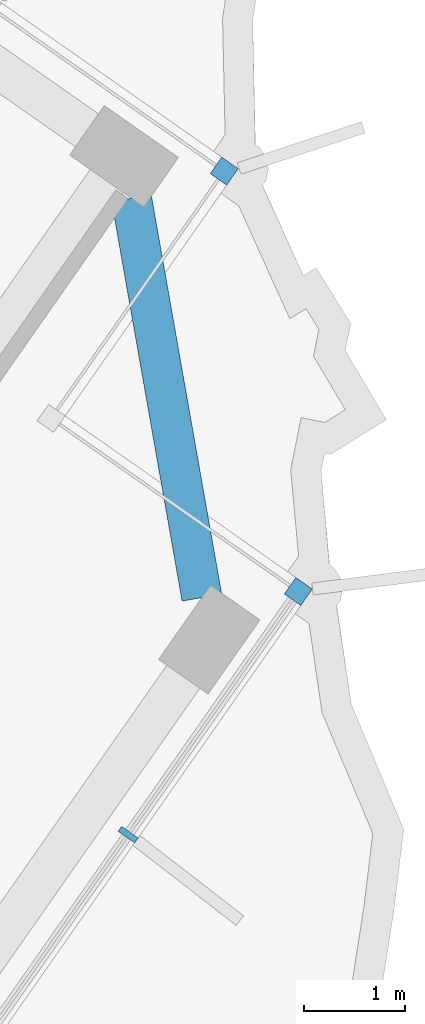
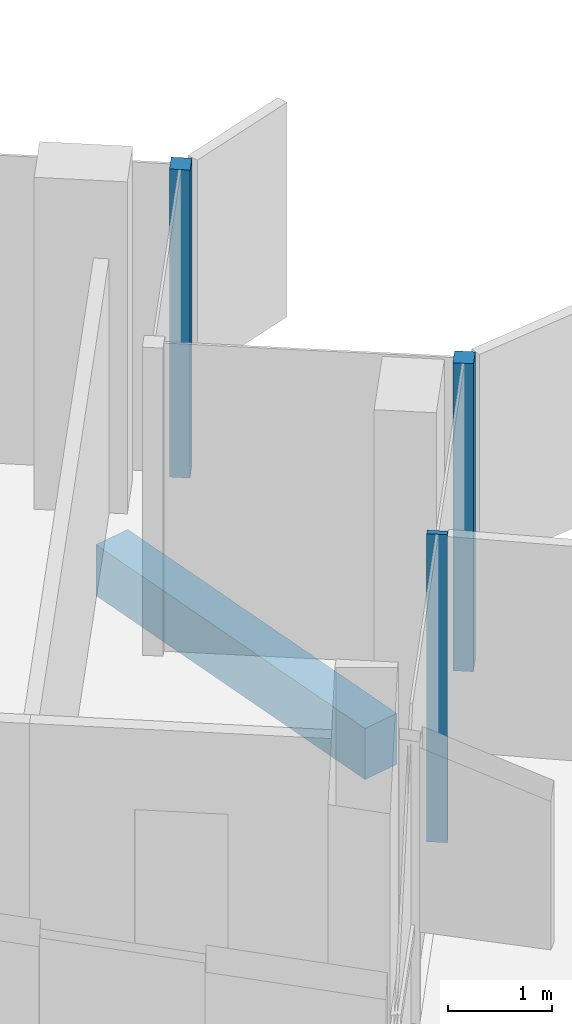
# One storey, part 8 of 20: 3 members, 1 beam, 1 element without a shape of its own.
"""IFC4 building model written with IfcOpenShell, lengths in metres."""

from ifc_helpers import new_model, si_unit, direction, frame, origin, origin_2d, place, context, subcontext, project, spatial, rectangle, extrude, material, material_profile, profile_set, type_object, element, aggregate, save


model = new_model("IFC4")

# Units and contexts
model_context = context("Model", 3, precision=1e-05, world=origin(), true_north=direction((0.0, 1.0)))
body_context = subcontext(model_context, "Body", "Model", "MODEL_VIEW")
ifc_project = project(units=[si_unit("LENGTHUNIT", "METRE"), si_unit("AREAUNIT", "SQUARE_METRE"), si_unit("VOLUMEUNIT", "CUBIC_METRE"), si_unit("PLANEANGLEUNIT", "RADIAN"), si_unit("MASSUNIT", "GRAM", prefix="KILO")], contexts=[model_context])

# Site, building, storey
site_placement = place(None, origin())
site = spatial("IfcSite", under=ifc_project, at=site_placement, CompositionType="ELEMENT")
building_placement = place(site_placement, origin())
building = spatial("IfcBuilding", under=site, at=building_placement, Name="Tel Ilan Convention Tower", CompositionType="ELEMENT")
storey_placement = place(building_placement, frame((0.0, 0.0, 233.199951171875)))
storey = spatial("IfcBuildingStorey", under=building, at=storey_placement, Name="L54", CompositionType="ELEMENT", Elevation=233.199951171875)

# Beam
ifc_material_1 = material(Name="Concrete C40/50", Category="concrete")
ifc_material_profile_1 = material_profile(ifc_material_1, rectangle(XDim=0.39990234375, YDim=0.60009765625, at=origin_2d()), Name="RC 400x600")
ifc_profile_set_1 = profile_set([ifc_material_profile_1], Name="Concrete C40/50")
beam_type = type_object("IfcBeamType", Name="Beam RC 400x600 Concrete C40/50", PredefinedType="BEAM", material=ifc_profile_set_1)
beam_placement = place(storey_placement, frame((31.742919921875, -17.343505859375, -0.579833984375), z_axis=(-0.173664388751, 0.984804894423, 0.0), x_axis=(-0.984804894423, -0.173664388751, 0.0)))
element("IfcBeam", 1, at=beam_placement, inside=storey, type_object=beam_type, Name="L54 beam E-E-E3-E-BC", PredefinedType="BEAM", context=body_context, shape_type="SweptSolid", body=[
    extrude(rectangle(XDim=0.39990234375, YDim=0.60009765625, at=origin_2d()), origin(), (0.0, 0.0, 1.0), 4.030517578125),
])

# Curtain wall, members
ifc_material_2 = material(Name="Aluminium, bronze anodised", Category="aluminium")
curtain_wall_type = type_object("IfcCurtainWallType", Name="CW5 STICK CURTAIN WALL, UPPER OFFICE LOW-IRON TINTED GLASS", PredefinedType="NOTDEFINED", material=ifc_material_2)
curtain_wall_placement = place(storey_placement, origin())
curtain_wall = element("IfcCurtainWall", 2, at=curtain_wall_placement, inside=storey, type_object=curtain_wall_type, Name="Curtain wall CW5-42.02", PredefinedType="NOTDEFINED")
ifc_material_3 = material(Name="Aluminium, bronze anodised", Category="aluminium")
ifc_material_profile_2 = material_profile(ifc_material_3, rectangle(XDim=0.199951171875, YDim=0.199951171875, at=origin_2d()), Name="CW CORNER MULLION 200x200")
ifc_profile_set_2 = profile_set([ifc_material_profile_2], Name="Aluminium, bronze anodised")
member_type_1 = type_object("IfcMemberType", Name="CW CORNER MULLION 200x200", PredefinedType="MULLION", material=ifc_profile_set_2)
member_1_placement = place(storey_placement, frame((32.701416015625, -17.2822265625, 0.0), z_axis=(0.0, 0.0, 1.0), x_axis=(0.573576436351, 0.819152044289, 0.0)))
member_1 = element("IfcMember", 3, at=member_1_placement, type_object=member_type_1, Name="Corner mullion", PredefinedType="MULLION", context=body_context, shape_type="SweptSolid", body=[
    extrude(rectangle(XDim=0.199951171875, YDim=0.199951171875, at=origin_2d()), origin(), (0.0, 0.0, 1.0), 3.6201171875),
])
member_2_placement = place(storey_placement, frame((31.964599609375, -13.10400390625, 0.0), z_axis=(0.0, 0.0, 1.0), x_axis=(0.573576436351, 0.819152044289, 0.0)))
member_2 = element("IfcMember", 4, at=member_2_placement, type_object=member_type_1, Name="Corner mullion", PredefinedType="MULLION", context=body_context, shape_type="SweptSolid", body=[
    extrude(rectangle(XDim=0.199951171875, YDim=0.199951171875, at=origin_2d()), origin(), (0.0, 0.0, 1.0), 3.6201171875),
])
ifc_material_4 = material(Name="Aluminium, bronze anodised", Category="aluminium")
ifc_material_profile_3 = material_profile(ifc_material_4, rectangle(XDim=0.06005859375, YDim=0.199951171875, at=origin_2d()), Name="CW MULLION 60x200")
ifc_profile_set_3 = profile_set([ifc_material_profile_3], Name="Aluminium, bronze anodised")
member_type_2 = type_object("IfcMemberType", Name="CW MULLION 60x200", PredefinedType="MULLION", material=ifc_profile_set_3)
member_3_placement = place(storey_placement, frame((31.00927734375, -19.69873046875, 0.0), z_axis=(0.0, 0.0, 1.0), x_axis=(0.573576436351, 0.819152044289, 0.0)))
member_3 = element("IfcMember", 5, at=member_3_placement, type_object=member_type_2, Name="Mullion", PredefinedType="MULLION", context=body_context, shape_type="SweptSolid", body=[
    extrude(rectangle(XDim=0.06005859375, YDim=0.199951171875, at=origin_2d()), origin(), (0.0, 0.0, 1.0), 3.6201171875),
])
aggregate(curtain_wall, [member_3, member_1, member_2])

save(model, "model.ifc")
